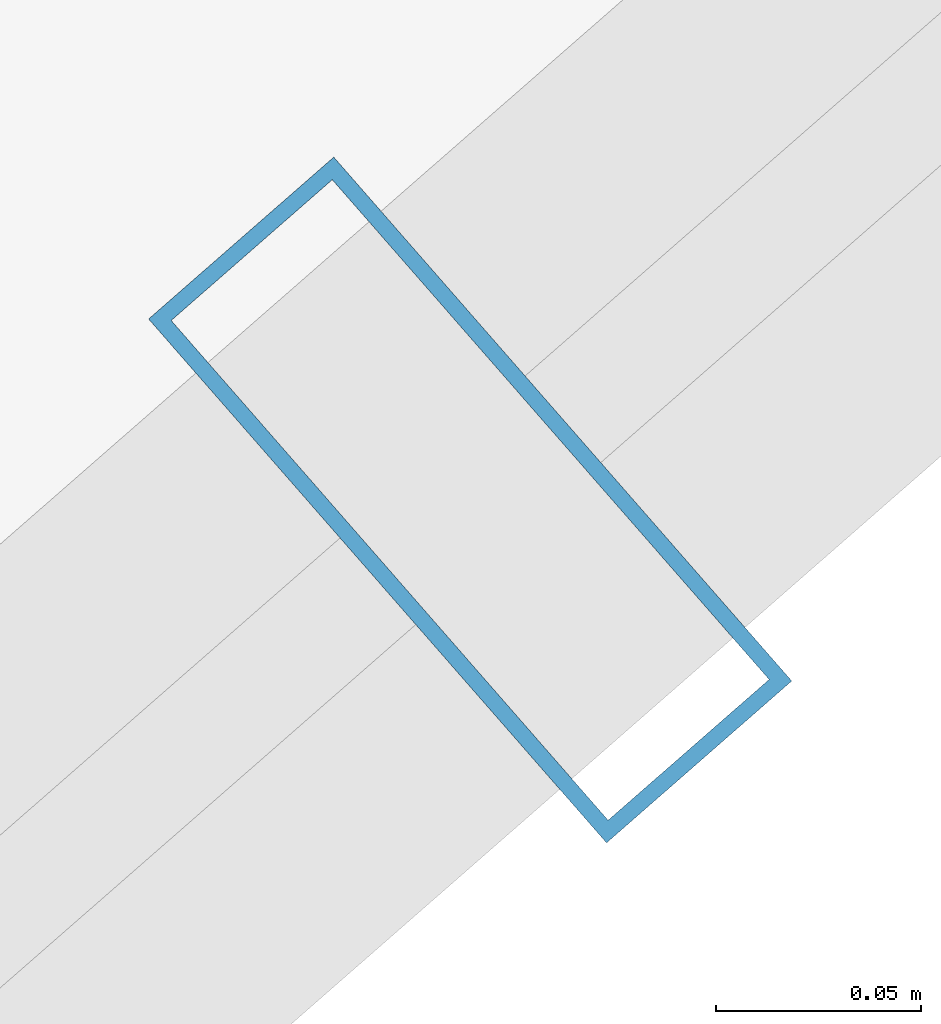
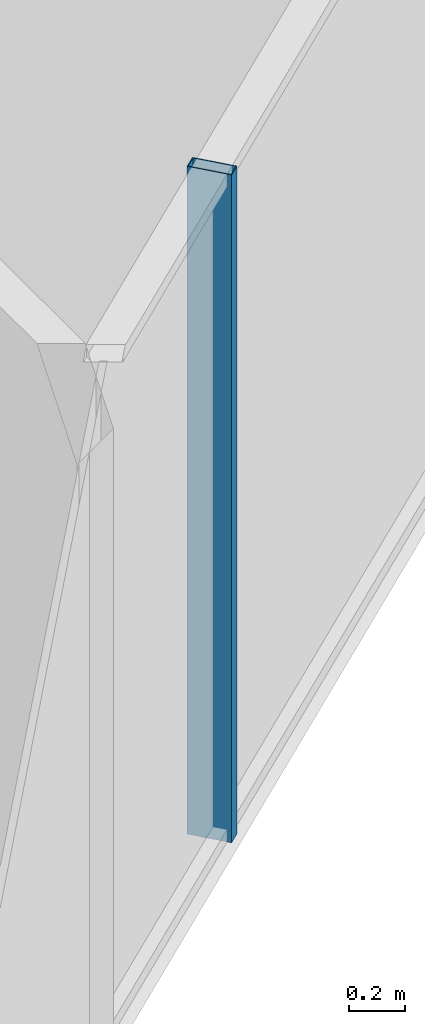
# One storey, part 15 of 36: 1 member, 1 element without a shape of its own.
"""IFC4 building model written with IfcOpenShell, lengths in metres."""

from ifc_helpers import new_model, si_unit, direction, frame, origin, origin_2d, place, context, subcontext, project, spatial, hollow_rectangle, extrude, source, transform, mapped, material, layer, layer_set, material_profile, profile_set, type_object, element, aggregate, save


model = new_model("IFC4")

# Units and contexts
model_context = context("Model", 3, precision=1e-05, world=origin(), true_north=direction((0.0, 1.0)))
body_context = subcontext(model_context, "Body", "Model", "MODEL_VIEW")
ifc_project = project(units=[si_unit("LENGTHUNIT", "METRE"), si_unit("AREAUNIT", "SQUARE_METRE"), si_unit("VOLUMEUNIT", "CUBIC_METRE"), si_unit("PLANEANGLEUNIT", "RADIAN"), si_unit("MASSUNIT", "GRAM", prefix="KILO")], contexts=[model_context])

# Site, building, storey
site_placement = place(None, origin())
site = spatial("IfcSite", under=ifc_project, at=site_placement, CompositionType="ELEMENT")
building_placement = place(site_placement, origin())
building = spatial("IfcBuilding", under=site, at=building_placement, Name="Veraguas Prism Commons", CompositionType="ELEMENT")
storey_placement = place(building_placement, frame((0.0, 0.0, 166.300048828125)))
storey = spatial("IfcBuildingStorey", under=building, at=storey_placement, Name="L47", CompositionType="ELEMENT", Elevation=166.300048828125)

# Curtain wall, member
ifc_material = material(Name="Anodised aluminium EN AW-6063 T6", Category="aluminium")
ifc_layer = layer(ifc_material, 0.169921875, Name="Unitised Flush Curtain Wall Zone 2", Category="aluminium")
ifc_layer_set = layer_set([ifc_layer], Name="Anodised aluminium EN AW-6063 T6")
curtain_wall_type = type_object("IfcCurtainWallType", Name="Unitised Flush Curtain Wall Zone 2", PredefinedType="NOTDEFINED", material=ifc_layer_set)
curtain_wall_placement = place(storey_placement, origin())
curtain_wall = element("IfcCurtainWall", 1, at=curtain_wall_placement, inside=storey, type_object=curtain_wall_type, Name="Tower Facade Curtain Wall L47-F5", PredefinedType="NOTDEFINED")
ifc_material_profile = material_profile(ifc_material, hollow_rectangle(XDim=0.06005859375, YDim=0.169921875, WallThickness=0.00390625, at=origin_2d()), Name="AL60X170X4")
ifc_profile_set = profile_set([ifc_material_profile], Name="Anodised aluminium EN AW-6063 T6")
member_type = type_object("IfcMemberType", Name="Curtain Wall Mullion Lower AL 60x170x4", PredefinedType="MULLION", material=ifc_profile_set)
shared_shape = source(origin(), body_context, "Body", "SweptSolid", [
    extrude(hollow_rectangle(XDim=0.06005859375, YDim=0.169921875, WallThickness=0.00390625, at=origin_2d()), origin(), (0.0, 0.0, 1.0), 2.929931640625),
])
member_placement = place(storey_placement, frame((36.625244140625, 9.55810546875, 0.0), z_axis=(0.0, 0.0, 1.0), x_axis=(0.752872280062, 0.658166642967, 0.0)))
member = element("IfcMember", 2, at=member_placement, type_object=member_type, Name="CW-Z2 Mullion 3", PredefinedType="MULLION", context=body_context, shape_type="MappedRepresentation", body=[
    mapped(shared_shape, transform((0.0, 0.0, 0.0), scale=1.0)),
])
aggregate(curtain_wall, [member])

save(model, "model.ifc")
